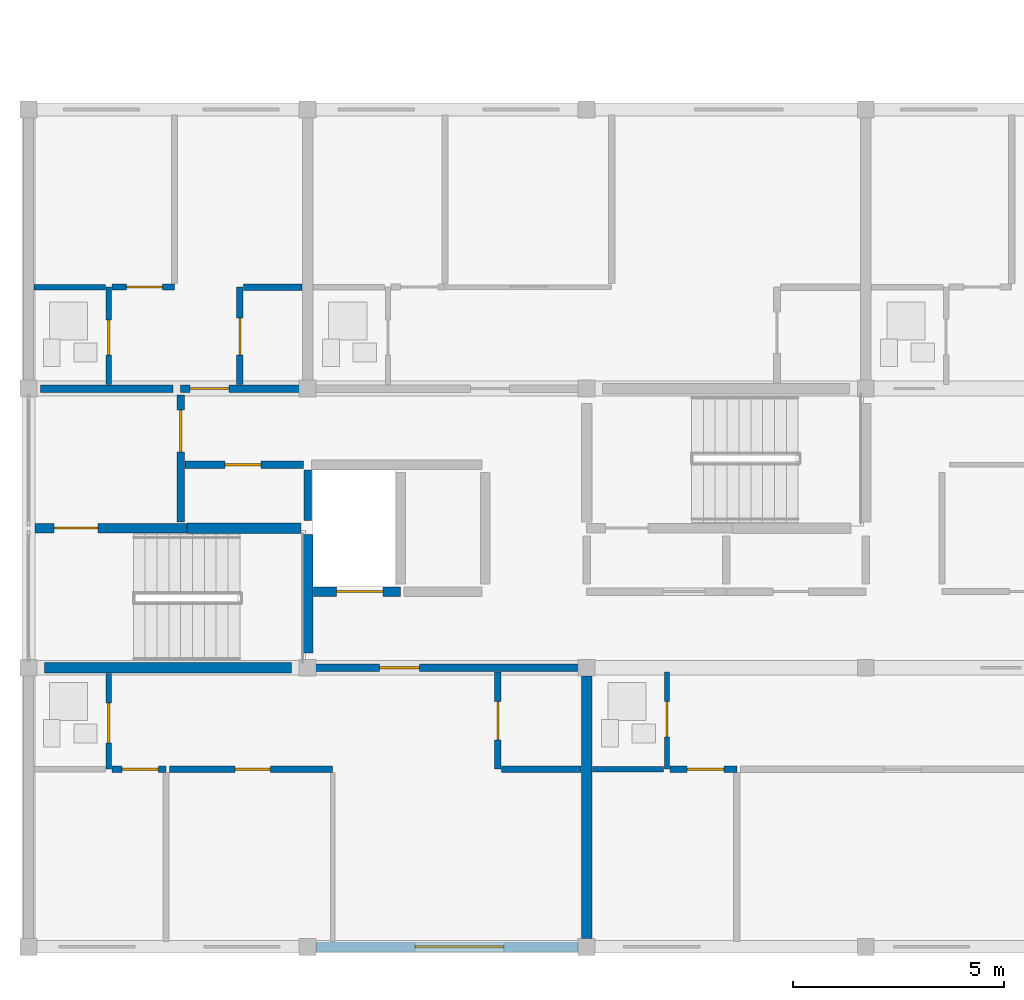
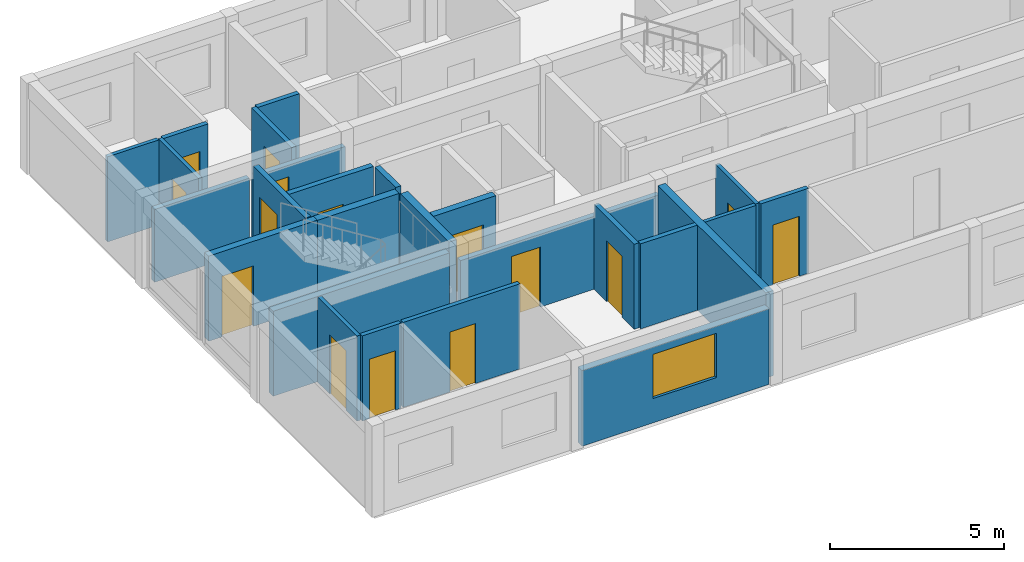
# One storey, part 13 of 23: 26 walls, 15 doors, 1 window, 16 openings.
"""IFC4 building model written with IfcOpenShell, lengths in metres."""

from ifc_helpers import new_model, si_unit, direction, frame, frame_2d, origin, place, context, subcontext, project, spatial, rectangle, extrude, material, layer, layer_set, type_object, element, fill, save


model = new_model("IFC4")

# Units and contexts
model_context = context("Model", 3, precision=1e-05, world=origin(), true_north=direction((0.0, 1.0)))
body_context = subcontext(model_context, "Body", "Model", "MODEL_VIEW")
ifc_project = project(units=[si_unit("LENGTHUNIT", "METRE"), si_unit("AREAUNIT", "SQUARE_METRE"), si_unit("VOLUMEUNIT", "CUBIC_METRE"), si_unit("PLANEANGLEUNIT", "RADIAN"), si_unit("MASSUNIT", "GRAM", prefix="KILO")], contexts=[model_context])

# Site, building, storey
site_placement = place(None, origin())
site = spatial("IfcSite", under=ifc_project, at=site_placement, CompositionType="ELEMENT")
building_placement = place(site_placement, origin())
building = spatial("IfcBuilding", under=site, at=building_placement, Name="Kernevlak Ridge Housing Community", CompositionType="ELEMENT")
storey_placement = place(building_placement, frame((0.0, 0.0, 46.800048828125)))
storey = spatial("IfcBuildingStorey", under=building, at=storey_placement, Name="L14", CompositionType="ELEMENT", Elevation=46.800048828125)

# Wall, opening, window
ifc_material_1 = material(Name="Concrete block masonry M10", Category="masonry")
ifc_layer_1 = layer(ifc_material_1, 0.239990234375, Name="Concrete block masonry M10")
ifc_layer_set_1 = layer_set([ifc_layer_1], Name="Concrete block masonry M10")
wall_type_1 = type_object("IfcWallType", Name="EW-06", PredefinedType="STANDARD", material=ifc_layer_set_1)
wall_1_placement = place(storey_placement, frame((22.39990234375, 76.0, 0.0), z_axis=(0.0, 0.0, 1.0), x_axis=(1.0, 0.0, 0.0)))
wall_1 = element("IfcWall", 1, at=wall_1_placement, inside=storey, type_object=wall_type_1, Name="Exterior wall EW-06 L14 222", PredefinedType="STANDARD", context=body_context, shape_type="SweptSolid", body=[
    extrude(rectangle(XDim=6.2001953125, YDim=0.239990234375, at=frame_2d((3.10009765625, 0.0))), origin(), (0.0, 0.0, 1.0), 2.64990234375),
])
opening_1_placement = place(wall_1_placement, frame((2.345947265625, 0.0, 0.85009765625)))
opening_1 = element("IfcOpeningElement", 2, at=opening_1_placement, cuts=wall_1, Name="Opening WT-05", PredefinedType="OPENING", context=body_context, shape_type="SweptSolid", body=[
    extrude(rectangle(XDim=2.10009765625, YDim=1.550048828125, at=frame_2d((1.050048828125, 0.77490234375))), frame((0.0, 0.1298828125, 0.0), z_axis=(0.0, -1.0, 0.0), x_axis=(1.0, 0.0, 0.0)), (0.0, 0.0, 1.0), 0.260009765625),
])
ifc_material_2 = material(Name="Aluminium EN AW-6060 anodised and laminated glass", Category="aluminium")
window_type = type_object("IfcWindowType", Name="WT-05", PartitioningType="SINGLE_PANEL", PredefinedType="WINDOW", material=ifc_material_2)
window_placement = place(opening_1_placement, origin())
window = element("IfcWindow", 3, at=window_placement, inside=storey, type_object=window_type, Name="Window WT-05 L14 176", OverallHeight=1.550048828125, OverallWidth=2.10009765625, PartitioningType="SINGLE_PANEL", PredefinedType="WINDOW", context=body_context, shape_type="SweptSolid", body=[
    extrude(rectangle(XDim=2.10009765625, YDim=1.550048828125, at=frame_2d((1.050048828125, 0.77490234375))), frame((0.0, 0.030029296875, 0.0), z_axis=(0.0, -1.0, 0.0), x_axis=(1.0, 0.0, 0.0)), (0.0, 0.0, 1.0), 0.06005859375),
])
fill(opening_1, window)

# Wall, opening, door
ifc_material_3 = material(Name="Concrete C35/45", Category="concrete")
ifc_layer_2 = layer(ifc_material_3, 0.22509765625, Name="Concrete C35/45")
ifc_layer_set_2 = layer_set([ifc_layer_2], Name="Concrete C35/45")
wall_type_2 = type_object("IfcWallType", Name="PW-01", PredefinedType="STANDARD", material=ifc_layer_set_2)
wall_2_placement = place(storey_placement, frame((15.75, 85.89990234375, 0.0), z_axis=(0.0, 0.0, 1.0), x_axis=(1.0, 0.0, 0.0)))
wall_2 = element("IfcWall", 4, at=wall_2_placement, inside=storey, type_object=wall_type_2, Name="Interior wall PW-01 WAL-INT-L14-0882", PredefinedType="STANDARD", context=body_context, shape_type="SweptSolid", body=[
    extrude(rectangle(XDim=3.60009765625, YDim=0.22509765625, at=frame_2d((1.800048828125, 0.0))), origin(), (0.0, 0.0, 1.0), 2.97998046875),
])
opening_2_placement = place(wall_2_placement, frame((0.449951171875, 0.0, 0.0)))
opening_2 = element("IfcOpeningElement", 5, at=opening_2_placement, cuts=wall_2, Name="Opening D447", PredefinedType="OPENING", context=body_context, shape_type="SweptSolid", body=[
    extrude(rectangle(XDim=1.0400390625, YDim=2.1201171875, at=frame_2d((0.52001953125, 1.06005859375))), frame((0.0, 0.12255859375, 0.0), z_axis=(0.0, -1.0, 0.0), x_axis=(1.0, 0.0, 0.0)), (0.0, 0.0, 1.0), 0.2451171875),
])
ifc_material_4 = material(Name="Fire-rated sheet steel leaf", Category="steel")
door_type_1 = type_object("IfcDoorType", Name="DT-16", OperationType="NOTDEFINED", PredefinedType="DOOR", material=ifc_material_4)
door_1_placement = place(opening_2_placement, origin())
door_1 = element("IfcDoor", 6, at=door_1_placement, inside=storey, type_object=door_type_1, Name="Block A Stair 1 fire door D447", OperationType="SINGLE_SWING_LEFT", OverallHeight=2.1201171875, OverallWidth=1.0400390625, PredefinedType="DOOR", context=body_context, shape_type="SweptSolid", body=[
    extrude(rectangle(XDim=1.0400390625, YDim=2.1201171875, at=frame_2d((0.52001953125, 1.06005859375))), frame((0.0, 0.02490234375, 0.0), z_axis=(0.0, -1.0, 0.0), x_axis=(1.0, 0.0, 0.0)), (0.0, 0.0, 1.0), 0.050048828125),
])
fill(opening_2, door_1)

wall_3_placement = place(storey_placement, frame((22.3349609375, 84.39990234375, 0.0), z_axis=(0.0, 0.0, 1.0), x_axis=(1.0, 0.0, 0.0)))
wall_3 = element("IfcWall", 7, at=wall_3_placement, inside=storey, type_object=wall_type_2, Name="Interior wall PW-01 WAL-INT-L14-0886", PredefinedType="STANDARD", context=body_context, shape_type="SweptSolid", body=[
    extrude(rectangle(XDim=2.06494140625, YDim=0.22509765625, at=frame_2d((1.032470703125, 0.0))), origin(), (0.0, 0.0, 1.0), 2.97998046875),
])
opening_3_placement = place(wall_3_placement, frame((0.550048828125, 0.0, 0.0)))
opening_3 = element("IfcOpeningElement", 8, at=opening_3_placement, cuts=wall_3, Name="Opening LD25", PredefinedType="OPENING", context=body_context, shape_type="SweptSolid", body=[
    extrude(rectangle(XDim=1.10009765625, YDim=2.10009765625, at=frame_2d((0.550048828125, 1.050048828125))), frame((0.0, 0.12255859375, 0.0), z_axis=(0.0, -1.0, 0.0), x_axis=(1.0, 0.0, 0.0)), (0.0, 0.0, 1.0), 0.2451171875),
])
ifc_material_5 = material(Name="Stainless steel EN 1.4401", Category="steel")
door_type_2 = type_object("IfcDoorType", Name="DT-LD1", OperationType="DOUBLE_DOOR_SLIDING", PredefinedType="DOOR", material=ifc_material_5)
door_2_placement = place(opening_3_placement, origin())
door_2 = element("IfcDoor", 9, at=door_2_placement, inside=storey, type_object=door_type_2, Name="Lift LF-A1 landing door LD25", OperationType="DOUBLE_DOOR_SLIDING", OverallHeight=2.10009765625, OverallWidth=1.10009765625, PredefinedType="DOOR", context=body_context, shape_type="SweptSolid", body=[
    extrude(rectangle(XDim=1.10009765625, YDim=2.10009765625, at=frame_2d((0.550048828125, 1.050048828125))), frame((0.0, 0.02490234375, 0.0), z_axis=(0.0, -1.0, 0.0), x_axis=(1.0, 0.0, 0.0)), (0.0, 0.0, 1.0), 0.050048828125),
])
fill(opening_3, door_2)

ifc_layer_3 = layer(ifc_material_1, 0.175048828125, Name="Concrete block masonry M10")
ifc_layer_set_3 = layer_set([ifc_layer_3], Name="Concrete block masonry M10")
wall_type_3 = type_object("IfcWallType", Name="PW-02", PredefinedType="PARTITIONING", material=ifc_layer_set_3)
wall_4_placement = place(storey_placement, frame((19.199951171875, 86.050048828125, 0.0), z_axis=(0.0, 0.0, 1.0), x_axis=(0.0, 1.0, 0.0)))
wall_4 = element("IfcWall", 10, at=wall_4_placement, inside=storey, type_object=wall_type_3, Name="Interior wall PW-02 WAL-INT-L14-0883", PredefinedType="PARTITIONING", context=body_context, shape_type="SweptSolid", body=[
    extrude(rectangle(XDim=3.0, YDim=0.175048828125, at=frame_2d((1.5, 0.0))), origin(), (0.0, 0.0, 1.0), 2.97998046875),
])
opening_4_placement = place(wall_4_placement, frame((1.64990234375, 0.0, 0.0)))
opening_4 = element("IfcOpeningElement", 11, at=opening_4_placement, cuts=wall_4, Name="Opening D448", PredefinedType="OPENING", context=body_context, shape_type="SweptSolid", body=[
    extrude(rectangle(XDim=1.0, YDim=2.10009765625, at=frame_2d((0.5, 1.050048828125))), frame((0.0, 0.097412109375, 0.0), z_axis=(0.0, -1.0, 0.0), x_axis=(1.0, 0.0, 0.0)), (0.0, 0.0, 1.0), 0.195068359375),
])
door_type_3 = type_object("IfcDoorType", Name="DT-05", OperationType="NOTDEFINED", PredefinedType="DOOR", material=ifc_material_4)
door_3_placement = place(opening_4_placement, origin())
door_3 = element("IfcDoor", 12, at=door_3_placement, inside=storey, type_object=door_type_3, Name="Block A Firefighting lobby 1 door D448", OperationType="SINGLE_SWING_RIGHT", OverallHeight=2.10009765625, OverallWidth=1.0, PredefinedType="DOOR", context=body_context, shape_type="SweptSolid", body=[
    extrude(rectangle(XDim=1.0, YDim=2.10009765625, at=frame_2d((0.5, 1.050048828125))), frame((0.0, 0.02490234375, 0.0), z_axis=(0.0, -1.0, 0.0), x_axis=(1.0, 0.0, 0.0)), (0.0, 0.0, 1.0), 0.050048828125),
])
fill(opening_4, door_3)

wall_5_placement = place(storey_placement, frame((19.300048828125, 87.39990234375, 0.0), z_axis=(0.0, 0.0, 1.0), x_axis=(1.0, 0.0, 0.0)))
wall_5 = element("IfcWall", 13, at=wall_5_placement, inside=storey, type_object=wall_type_3, Name="Interior wall PW-02 WAL-INT-L14-0884", PredefinedType="PARTITIONING", context=body_context, shape_type="SweptSolid", body=[
    extrude(rectangle(XDim=2.800048828125, YDim=0.175048828125, at=frame_2d((1.39990234375, 0.0))), origin(), (0.0, 0.0, 1.0), 2.97998046875),
])
opening_5_placement = place(wall_5_placement, frame((0.949951171875, 0.0, 0.0)))
opening_5 = element("IfcOpeningElement", 14, at=opening_5_placement, cuts=wall_5, Name="Opening D449", PredefinedType="OPENING", context=body_context, shape_type="SweptSolid", body=[
    extrude(rectangle(XDim=0.85009765625, YDim=2.0, at=frame_2d((0.425048828125, 1.0))), frame((0.0, 0.097412109375, 0.0), z_axis=(0.0, -1.0, 0.0), x_axis=(1.0, 0.0, 0.0)), (0.0, 0.0, 1.0), 0.195068359375),
])
door_type_4 = type_object("IfcDoorType", Name="DT-07", OperationType="NOTDEFINED", PredefinedType="DOOR", material=ifc_material_4)
door_4_placement = place(opening_5_placement, origin())
door_4 = element("IfcDoor", 15, at=door_4_placement, inside=storey, type_object=door_type_4, Name="Block A Riser shaft door D449", OperationType="SINGLE_SWING_LEFT", OverallHeight=2.0, OverallWidth=0.85009765625, PredefinedType="DOOR", context=body_context, shape_type="SweptSolid", body=[
    extrude(rectangle(XDim=0.85009765625, YDim=2.0, at=frame_2d((0.425048828125, 1.0))), frame((0.0, 0.02490234375, 0.0), z_axis=(0.0, -1.0, 0.0), x_axis=(1.0, 0.0, 0.0)), (0.0, 0.0, 1.0), 0.050048828125),
])
fill(opening_5, door_4)

# Wall
wall_6_placement = place(storey_placement, frame((22.199951171875, 86.080078125, 0.0), z_axis=(0.0, 0.0, 1.0), x_axis=(0.0, 1.0, 0.0)))
element("IfcWall", 16, at=wall_6_placement, inside=storey, type_object=wall_type_3, Name="Interior wall PW-02 WAL-INT-L14-0885", PredefinedType="PARTITIONING", context=body_context, shape_type="SweptSolid", body=[
    extrude(rectangle(XDim=1.18994140625, YDim=0.175048828125, at=frame_2d((0.594970703125, 0.0))), origin(), (0.0, 0.0, 1.0), 2.97998046875),
])

# Wall, opening, door
wall_7_placement = place(storey_placement, frame((22.199951171875, 82.60009765625, 0.0), z_axis=(0.0, 0.0, 1.0), x_axis=(1.0, 0.0, 0.0)))
wall_7 = element("IfcWall", 17, at=wall_7_placement, inside=storey, type_object=wall_type_3, Name="Interior wall PW-02 WAL-INT-L14-0903", PredefinedType="PARTITIONING", context=body_context, shape_type="SweptSolid", body=[
    extrude(rectangle(XDim=6.60009765625, YDim=0.175048828125, at=frame_2d((3.300048828125, 0.0))), origin(), (0.0, 0.0, 1.0), 2.550048828125),
])
opening_6_placement = place(wall_7_placement, frame((1.699951171875, 0.0, 0.0)))
opening_6 = element("IfcOpeningElement", 18, at=opening_6_placement, cuts=wall_7, Name="Opening D455", PredefinedType="OPENING", context=body_context, shape_type="SweptSolid", body=[
    extrude(rectangle(XDim=0.949951171875, YDim=2.10009765625, at=frame_2d((0.47509765625, 1.050048828125))), frame((0.0, 0.097412109375, 0.0), z_axis=(0.0, -1.0, 0.0), x_axis=(1.0, 0.0, 0.0)), (0.0, 0.0, 1.0), 0.195068359375),
])
ifc_material_6 = material(Name="Hardwood timber solid-core fire leaf", Category="wood")
door_type_5 = type_object("IfcDoorType", Name="DT-01", OperationType="NOTDEFINED", PredefinedType="DOOR", material=ifc_material_6)
door_5_placement = place(opening_6_placement, origin())
door_5 = element("IfcDoor", 19, at=door_5_placement, inside=storey, type_object=door_type_5, Name="Flat A1411 entrance fire door D455", OperationType="SINGLE_SWING_LEFT", OverallHeight=2.10009765625, OverallWidth=0.949951171875, PredefinedType="DOOR", context=body_context, shape_type="SweptSolid", body=[
    extrude(rectangle(XDim=0.949951171875, YDim=2.10009765625, at=frame_2d((0.47509765625, 1.050048828125))), frame((0.0, 0.02490234375, 0.0), z_axis=(0.0, -1.0, 0.0), x_axis=(1.0, 0.0, 0.0)), (0.0, 0.0, 1.0), 0.050048828125),
])
fill(opening_6, door_5)

# Wall
wall_8_placement = place(storey_placement, frame((15.8798828125, 89.199951171875, 0.0), z_axis=(0.0, 0.0, 1.0), x_axis=(1.0, 0.0, 0.0)))
element("IfcWall", 20, at=wall_8_placement, inside=storey, type_object=wall_type_3, Name="Interior wall PW-02 WAL-INT-L14-0921", PredefinedType="PARTITIONING", context=body_context, shape_type="SweptSolid", body=[
    extrude(rectangle(XDim=3.14013671875, YDim=0.175048828125, at=frame_2d((1.570068359375, 0.0))), origin(), (0.0, 0.0, 1.0), 2.550048828125),
])

# Wall, opening, door
wall_9_placement = place(storey_placement, frame((19.199951171875, 89.199951171875, 0.0), z_axis=(0.0, 0.0, 1.0), x_axis=(1.0, 0.0, 0.0)))
wall_9 = element("IfcWall", 21, at=wall_9_placement, inside=storey, type_object=wall_type_3, Name="Interior wall PW-02 WAL-INT-L14-0922", PredefinedType="PARTITIONING", context=body_context, shape_type="SweptSolid", body=[
    extrude(rectangle(XDim=3.0, YDim=0.175048828125, at=frame_2d((1.5, 0.0))), origin(), (0.0, 0.0, 1.0), 2.550048828125),
])
opening_7_placement = place(wall_9_placement, frame((0.219970703125, 0.0, 0.0)))
opening_7 = element("IfcOpeningElement", 22, at=opening_7_placement, cuts=wall_9, Name="Opening D465", PredefinedType="OPENING", context=body_context, shape_type="SweptSolid", body=[
    extrude(rectangle(XDim=0.919921875, YDim=2.139892578125, at=frame_2d((0.4599609375, 1.06982421875))), frame((0.0, 0.097412109375, 0.0), z_axis=(0.0, -1.0, 0.0), x_axis=(1.0, 0.0, 0.0)), (0.0, 0.0, 1.0), 0.195068359375),
])
door_type_6 = type_object("IfcDoorType", Name="DT-20", OperationType="NOTDEFINED", PredefinedType="DOOR", material=ifc_material_6)
door_6_placement = place(opening_7_placement, origin())
door_6 = element("IfcDoor", 23, at=door_6_placement, inside=storey, type_object=door_type_6, Name="Flat A1421 entrance fire door D465", OperationType="SINGLE_SWING_LEFT", OverallHeight=2.139892578125, OverallWidth=0.919921875, PredefinedType="DOOR", context=body_context, shape_type="SweptSolid", body=[
    extrude(rectangle(XDim=0.919921875, YDim=2.139892578125, at=frame_2d((0.4599609375, 1.06982421875))), frame((0.0, 0.02490234375, 0.0), z_axis=(0.0, -1.0, 0.0), x_axis=(1.0, 0.0, 0.0)), (0.0, 0.0, 1.0), 0.050048828125),
])
fill(opening_7, door_6)

ifc_layer_4 = layer(ifc_material_1, 0.14501953125, Name="Concrete block masonry M10")
ifc_layer_set_4 = layer_set([ifc_layer_4], Name="Concrete block masonry M10")
wall_type_4 = type_object("IfcWallType", Name="PW-03", PredefinedType="PARTITIONING", material=ifc_layer_set_4)
wall_10_placement = place(storey_placement, frame((17.572509765625, 80.199951171875, 0.0), z_axis=(0.0, 0.0, 1.0), x_axis=(1.0, 0.0, 0.0)))
wall_10 = element("IfcWall", 24, at=wall_10_placement, inside=storey, type_object=wall_type_4, Name="Interior wall PW-03 WAL-INT-L14-0908", PredefinedType="PARTITIONING", context=body_context, shape_type="SweptSolid", body=[
    extrude(rectangle(XDim=1.277587890625, YDim=0.14501953125, at=frame_2d((0.638671875, 0.0))), origin(), (0.0, 0.0, 1.0), 2.97998046875),
])
opening_8_placement = place(wall_10_placement, frame((0.237548828125, 0.0, 0.0)))
opening_8 = element("IfcOpeningElement", 25, at=opening_8_placement, cuts=wall_10, Name="Opening D458", PredefinedType="OPENING", context=body_context, shape_type="SweptSolid", body=[
    extrude(rectangle(XDim=0.8701171875, YDim=2.080078125, at=frame_2d((0.43505859375, 1.0400390625))), frame((0.0, 0.08251953125, 0.0), z_axis=(0.0, -1.0, 0.0), x_axis=(1.0, 0.0, 0.0)), (0.0, 0.0, 1.0), 0.1650390625),
])
ifc_material_7 = material(Name="Hardwood timber leaf", Category="wood")
door_type_7 = type_object("IfcDoorType", Name="DT-32", OperationType="NOTDEFINED", PredefinedType="DOOR", material=ifc_material_7)
door_7_placement = place(opening_8_placement, origin())
door_7 = element("IfcDoor", 26, at=door_7_placement, inside=storey, type_object=door_type_7, Name="Flat A1411 bedroom door D458", OperationType="SINGLE_SWING_RIGHT", OverallHeight=2.080078125, OverallWidth=0.8701171875, PredefinedType="DOOR", context=body_context, shape_type="SweptSolid", body=[
    extrude(rectangle(XDim=0.8701171875, YDim=2.080078125, at=frame_2d((0.43505859375, 1.0400390625))), frame((0.0, 0.02490234375, 0.0), z_axis=(0.0, -1.0, 0.0), x_axis=(1.0, 0.0, 0.0)), (0.0, 0.0, 1.0), 0.050048828125),
])
fill(opening_8, door_7)

wall_11_placement = place(storey_placement, frame((18.9326171875, 80.199951171875, 0.0), z_axis=(0.0, 0.0, 1.0), x_axis=(1.0, 0.0, 0.0)))
wall_11 = element("IfcWall", 27, at=wall_11_placement, inside=storey, type_object=wall_type_4, Name="Interior wall PW-03 WAL-INT-L14-0910", PredefinedType="PARTITIONING", context=body_context, shape_type="SweptSolid", body=[
    extrude(rectangle(XDim=3.859375, YDim=0.14501953125, at=frame_2d((1.9296875, 0.0))), origin(), (0.0, 0.0, 1.0), 2.97998046875),
])
opening_9_placement = place(wall_11_placement, frame((1.5458984375, 0.0, 0.0)))
opening_9 = element("IfcOpeningElement", 28, at=opening_9_placement, cuts=wall_11, Name="Opening D459", PredefinedType="OPENING", context=body_context, shape_type="SweptSolid", body=[
    extrude(rectangle(XDim=0.85009765625, YDim=2.10009765625, at=frame_2d((0.425048828125, 1.050048828125))), frame((0.0, 0.08251953125, 0.0), z_axis=(0.0, -1.0, 0.0), x_axis=(1.0, 0.0, 0.0)), (0.0, 0.0, 1.0), 0.1650390625),
])
door_type_8 = type_object("IfcDoorType", Name="DT-03", OperationType="NOTDEFINED", PredefinedType="DOOR", material=ifc_material_7)
door_8_placement = place(opening_9_placement, origin())
door_8 = element("IfcDoor", 29, at=door_8_placement, inside=storey, type_object=door_type_8, Name="Flat A1411 bedroom door D459", OperationType="SINGLE_SWING_LEFT", OverallHeight=2.10009765625, OverallWidth=0.85009765625, PredefinedType="DOOR", context=body_context, shape_type="SweptSolid", body=[
    extrude(rectangle(XDim=0.85009765625, YDim=2.10009765625, at=frame_2d((0.425048828125, 1.050048828125))), frame((0.0, 0.02490234375, 0.0), z_axis=(0.0, -1.0, 0.0), x_axis=(1.0, 0.0, 0.0)), (0.0, 0.0, 1.0), 0.050048828125),
])
fill(opening_9, door_8)

wall_12_placement = place(storey_placement, frame((30.7724609375, 80.199951171875, 0.0), z_axis=(0.0, 0.0, 1.0), x_axis=(1.0, 0.0, 0.0)))
wall_12 = element("IfcWall", 30, at=wall_12_placement, inside=storey, type_object=wall_type_4, Name="Interior wall PW-03 WAL-INT-L14-0917", PredefinedType="PARTITIONING", context=body_context, shape_type="SweptSolid", body=[
    extrude(rectangle(XDim=1.57763671875, YDim=0.14501953125, at=frame_2d((0.788818359375, 0.0))), origin(), (0.0, 0.0, 1.0), 2.97998046875),
])
opening_10_placement = place(wall_12_placement, frame((0.39990234375, 0.0, 0.0)))
opening_10 = element("IfcOpeningElement", 31, at=opening_10_placement, cuts=wall_12, Name="Opening D463", PredefinedType="OPENING", context=body_context, shape_type="SweptSolid", body=[
    extrude(rectangle(XDim=0.8798828125, YDim=2.10009765625, at=frame_2d((0.43994140625, 1.050048828125))), frame((0.0, 0.08251953125, 0.0), z_axis=(0.0, -1.0, 0.0), x_axis=(1.0, 0.0, 0.0)), (0.0, 0.0, 1.0), 0.1650390625),
])
door_type_9 = type_object("IfcDoorType", Name="DT-25", OperationType="NOTDEFINED", PredefinedType="DOOR", material=ifc_material_7)
door_9_placement = place(opening_10_placement, origin())
door_9 = element("IfcDoor", 32, at=door_9_placement, inside=storey, type_object=door_type_9, Name="Flat A1412 bedroom door D463", OperationType="SINGLE_SWING_LEFT", OverallHeight=2.10009765625, OverallWidth=0.8798828125, PredefinedType="DOOR", context=body_context, shape_type="SweptSolid", body=[
    extrude(rectangle(XDim=0.8798828125, YDim=2.10009765625, at=frame_2d((0.43994140625, 1.050048828125))), frame((0.0, 0.02490234375, 0.0), z_axis=(0.0, -1.0, 0.0), x_axis=(1.0, 0.0, 0.0)), (0.0, 0.0, 1.0), 0.050048828125),
])
fill(opening_10, door_9)

wall_13_placement = place(storey_placement, frame((17.572509765625, 91.60009765625, 0.0), z_axis=(0.0, 0.0, 1.0), x_axis=(1.0, 0.0, 0.0)))
wall_13 = element("IfcWall", 33, at=wall_13_placement, inside=storey, type_object=wall_type_4, Name="Interior wall PW-03 WAL-INT-L14-0927", PredefinedType="PARTITIONING", context=body_context, shape_type="SweptSolid", body=[
    extrude(rectangle(XDim=1.4775390625, YDim=0.14501953125, at=frame_2d((0.73876953125, 0.0))), origin(), (0.0, 0.0, 1.0), 2.97998046875),
])
opening_11_placement = place(wall_13_placement, frame((0.35009765625, 0.0, 0.0)))
opening_11 = element("IfcOpeningElement", 34, at=opening_11_placement, cuts=wall_13, Name="Opening D468", PredefinedType="OPENING", context=body_context, shape_type="SweptSolid", body=[
    extrude(rectangle(XDim=0.85009765625, YDim=2.10009765625, at=frame_2d((0.425048828125, 1.050048828125))), frame((0.0, 0.08251953125, 0.0), z_axis=(0.0, -1.0, 0.0), x_axis=(1.0, 0.0, 0.0)), (0.0, 0.0, 1.0), 0.1650390625),
])
door_10_placement = place(opening_11_placement, origin())
door_10 = element("IfcDoor", 35, at=door_10_placement, inside=storey, type_object=door_type_8, Name="Flat A1421 bedroom door D468", OperationType="SINGLE_SWING_RIGHT", OverallHeight=2.10009765625, OverallWidth=0.85009765625, PredefinedType="DOOR", context=body_context, shape_type="SweptSolid", body=[
    extrude(rectangle(XDim=0.85009765625, YDim=2.10009765625, at=frame_2d((0.425048828125, 1.050048828125))), frame((0.0, 0.02490234375, 0.0), z_axis=(0.0, -1.0, 0.0), x_axis=(1.0, 0.0, 0.0)), (0.0, 0.0, 1.0), 0.050048828125),
])
fill(opening_11, door_10)

ifc_material_8 = material(Name="Gypsum plasterboard EN 520", Category="gypsum")
ifc_layer_5 = layer(ifc_material_8, 0.125, Name="Gypsum plasterboard EN 520")
ifc_layer_set_5 = layer_set([ifc_layer_5], Name="Gypsum plasterboard EN 520")
wall_type_5 = type_object("IfcWallType", Name="PW-04", PredefinedType="PARTITIONING", material=ifc_layer_set_5)
wall_14_placement = place(storey_placement, frame((17.5, 82.465087890625, 0.0), z_axis=(0.0, 0.0, 1.0), x_axis=(0.0, -1.0, 0.0)))
wall_14 = element("IfcWall", 36, at=wall_14_placement, inside=storey, type_object=wall_type_5, Name="Interior wall PW-04 WAL-INT-L14-0904", PredefinedType="PARTITIONING", context=body_context, shape_type="SweptSolid", body=[
    extrude(rectangle(XDim=2.26513671875, YDim=0.125, at=frame_2d((1.132568359375, 0.0))), origin(), (0.0, 0.0, 1.0), 2.97998046875),
])
opening_12_placement = place(wall_14_placement, frame((0.699951171875, 0.0, 0.0)))
opening_12 = element("IfcOpeningElement", 37, at=opening_12_placement, cuts=wall_14, Name="Opening D456", PredefinedType="OPENING", context=body_context, shape_type="SweptSolid", body=[
    extrude(rectangle(XDim=0.93994140625, YDim=2.080078125, at=frame_2d((0.469970703125, 1.0400390625))), frame((0.0, 0.072509765625, 0.0), z_axis=(0.0, -1.0, 0.0), x_axis=(1.0, 0.0, 0.0)), (0.0, 0.0, 1.0), 0.14501953125),
])
ifc_material_9 = material(Name="Hardwood timber moisture-resistant leaf", Category="wood")
door_type_10 = type_object("IfcDoorType", Name="DT-23", OperationType="NOTDEFINED", PredefinedType="DOOR", material=ifc_material_9)
door_11_placement = place(opening_12_placement, origin())
door_11 = element("IfcDoor", 38, at=door_11_placement, inside=storey, type_object=door_type_10, Name="Flat A1411 bathroom door D456", OperationType="SINGLE_SWING_RIGHT", OverallHeight=2.080078125, OverallWidth=0.93994140625, PredefinedType="DOOR", context=body_context, shape_type="SweptSolid", body=[
    extrude(rectangle(XDim=0.93994140625, YDim=2.080078125, at=frame_2d((0.469970703125, 1.0400390625))), frame((0.0, 0.02490234375, 0.0), z_axis=(0.0, -1.0, 0.0), x_axis=(1.0, 0.0, 0.0)), (0.0, 0.0, 1.0), 0.050048828125),
])
fill(opening_12, door_11)

wall_15_placement = place(storey_placement, frame((30.699951171875, 82.50244140625, 0.0), z_axis=(0.0, 0.0, 1.0), x_axis=(0.0, -1.0, 0.0)))
wall_15 = element("IfcWall", 39, at=wall_15_placement, inside=storey, type_object=wall_type_5, Name="Interior wall PW-04 WAL-INT-L14-0913", PredefinedType="PARTITIONING", context=body_context, shape_type="SweptSolid", body=[
    extrude(rectangle(XDim=2.302490234375, YDim=0.125, at=frame_2d((1.1513671875, 0.0))), origin(), (0.0, 0.0, 1.0), 2.97998046875),
])
opening_13_placement = place(wall_15_placement, frame((0.699951171875, 0.0, 0.0)))
opening_13 = element("IfcOpeningElement", 40, at=opening_13_placement, cuts=wall_15, Name="Opening D461", PredefinedType="OPENING", context=body_context, shape_type="SweptSolid", body=[
    extrude(rectangle(XDim=0.840087890625, YDim=2.06005859375, at=frame_2d((0.419921875, 1.030029296875))), frame((0.0, 0.072509765625, 0.0), z_axis=(0.0, -1.0, 0.0), x_axis=(1.0, 0.0, 0.0)), (0.0, 0.0, 1.0), 0.14501953125),
])
door_type_11 = type_object("IfcDoorType", Name="DT-27", OperationType="NOTDEFINED", PredefinedType="DOOR", material=ifc_material_9)
door_12_placement = place(opening_13_placement, origin())
door_12 = element("IfcDoor", 41, at=door_12_placement, inside=storey, type_object=door_type_11, Name="Flat A1412 bathroom door D461", OperationType="SINGLE_SWING_LEFT", OverallHeight=2.06005859375, OverallWidth=0.840087890625, PredefinedType="DOOR", context=body_context, shape_type="SweptSolid", body=[
    extrude(rectangle(XDim=0.840087890625, YDim=2.06005859375, at=frame_2d((0.419921875, 1.030029296875))), frame((0.0, 0.02490234375, 0.0), z_axis=(0.0, -1.0, 0.0), x_axis=(1.0, 0.0, 0.0)), (0.0, 0.0, 1.0), 0.050048828125),
])
fill(opening_13, door_12)

# Wall
wall_16_placement = place(storey_placement, frame((28.93505859375, 80.199951171875, 0.0), z_axis=(0.0, 0.0, 1.0), x_axis=(1.0, 0.0, 0.0)))
element("IfcWall", 42, at=wall_16_placement, inside=storey, type_object=wall_type_5, Name="Interior wall PW-04 WAL-INT-L14-0914", PredefinedType="PARTITIONING", context=body_context, shape_type="SweptSolid", body=[
    extrude(rectangle(XDim=1.68505859375, YDim=0.125, at=frame_2d((0.842529296875, 0.0))), origin(), (0.0, 0.0, 1.0), 2.97998046875),
])

# Wall, opening, door
wall_17_placement = place(storey_placement, frame((17.5, 89.297607421875, 0.0), z_axis=(0.0, 0.0, 1.0), x_axis=(0.0, 1.0, 0.0)))
wall_17 = element("IfcWall", 43, at=wall_17_placement, inside=storey, type_object=wall_type_5, Name="Interior wall PW-04 WAL-INT-L14-0923", PredefinedType="PARTITIONING", context=body_context, shape_type="SweptSolid", body=[
    extrude(rectangle(XDim=2.302490234375, YDim=0.125, at=frame_2d((1.1513671875, 0.0))), origin(), (0.0, 0.0, 1.0), 2.97998046875),
])
opening_14_placement = place(wall_17_placement, frame((0.699951171875, 0.0, 0.0)))
opening_14 = element("IfcOpeningElement", 44, at=opening_14_placement, cuts=wall_17, Name="Opening D466", PredefinedType="OPENING", context=body_context, shape_type="SweptSolid", body=[
    extrude(rectangle(XDim=0.820068359375, YDim=2.050048828125, at=frame_2d((0.41015625, 1.02490234375))), frame((0.0, 0.072509765625, 0.0), z_axis=(0.0, -1.0, 0.0), x_axis=(1.0, 0.0, 0.0)), (0.0, 0.0, 1.0), 0.14501953125),
])
door_type_12 = type_object("IfcDoorType", Name="DT-30", OperationType="NOTDEFINED", PredefinedType="DOOR", material=ifc_material_9)
door_13_placement = place(opening_14_placement, origin())
door_13 = element("IfcDoor", 45, at=door_13_placement, inside=storey, type_object=door_type_12, Name="Flat A1421 bathroom door D466", OperationType="SINGLE_SWING_RIGHT", OverallHeight=2.050048828125, OverallWidth=0.820068359375, PredefinedType="DOOR", context=body_context, shape_type="SweptSolid", body=[
    extrude(rectangle(XDim=0.820068359375, YDim=2.050048828125, at=frame_2d((0.41015625, 1.02490234375))), frame((0.0, 0.02490234375, 0.0), z_axis=(0.0, -1.0, 0.0), x_axis=(1.0, 0.0, 0.0)), (0.0, 0.0, 1.0), 0.050048828125),
])
fill(opening_14, door_13)

# Wall
wall_18_placement = place(storey_placement, frame((15.72998046875, 91.60009765625, 0.0), z_axis=(0.0, 0.0, 1.0), x_axis=(1.0, 0.0, 0.0)))
element("IfcWall", 46, at=wall_18_placement, inside=storey, type_object=wall_type_5, Name="Interior wall PW-04 WAL-INT-L14-0924", PredefinedType="PARTITIONING", context=body_context, shape_type="SweptSolid", body=[
    extrude(rectangle(XDim=1.68994140625, YDim=0.125, at=frame_2d((0.844970703125, 0.0))), origin(), (0.0, 0.0, 1.0), 2.97998046875),
])

# Wall, opening, door
ifc_layer_6 = layer(ifc_material_8, 0.155029296875, Name="Gypsum plasterboard EN 520")
ifc_layer_set_6 = layer_set([ifc_layer_6], Name="Gypsum plasterboard EN 520")
wall_type_6 = type_object("IfcWallType", Name="PW-05", PredefinedType="PARTITIONING", material=ifc_layer_set_6)
wall_19_placement = place(storey_placement, frame((26.699951171875, 82.50244140625, 0.0), z_axis=(0.0, 0.0, 1.0), x_axis=(0.0, -1.0, 0.0)))
wall_19 = element("IfcWall", 47, at=wall_19_placement, inside=storey, type_object=wall_type_6, Name="Interior wall PW-05 WAL-INT-L14-0906", PredefinedType="PARTITIONING", context=body_context, shape_type="SweptSolid", body=[
    extrude(rectangle(XDim=2.302490234375, YDim=0.155029296875, at=frame_2d((1.1513671875, 0.0))), origin(), (0.0, 0.0, 1.0), 2.97998046875),
])
opening_15_placement = place(wall_19_placement, frame((0.699951171875, 0.0, 0.0)))
opening_15 = element("IfcOpeningElement", 48, at=opening_15_placement, cuts=wall_19, Name="Opening D457", PredefinedType="OPENING", context=body_context, shape_type="SweptSolid", body=[
    extrude(rectangle(XDim=0.909912109375, YDim=2.139892578125, at=frame_2d((0.455078125, 1.06982421875))), frame((0.0, 0.08740234375, 0.0), z_axis=(0.0, -1.0, 0.0), x_axis=(1.0, 0.0, 0.0)), (0.0, 0.0, 1.0), 0.175048828125),
])
door_type_13 = type_object("IfcDoorType", Name="DT-31", OperationType="NOTDEFINED", PredefinedType="DOOR", material=ifc_material_7)
door_14_placement = place(opening_15_placement, origin())
door_14 = element("IfcDoor", 49, at=door_14_placement, inside=storey, type_object=door_type_13, Name="Flat A1411 kitchen door D457", OperationType="SINGLE_SWING_LEFT", OverallHeight=2.139892578125, OverallWidth=0.909912109375, PredefinedType="DOOR", context=body_context, shape_type="SweptSolid", body=[
    extrude(rectangle(XDim=0.909912109375, YDim=2.139892578125, at=frame_2d((0.455078125, 1.06982421875))), frame((0.0, 0.02490234375, 0.0), z_axis=(0.0, -1.0, 0.0), x_axis=(1.0, 0.0, 0.0)), (0.0, 0.0, 1.0), 0.050048828125),
])
fill(opening_15, door_14)

# Wall
wall_20_placement = place(storey_placement, frame((26.78759765625, 80.199951171875, 0.0), z_axis=(0.0, 0.0, 1.0), x_axis=(1.0, 0.0, 0.0)))
element("IfcWall", 50, at=wall_20_placement, inside=storey, type_object=wall_type_6, Name="Interior wall PW-05 WAL-INT-L14-0907", PredefinedType="PARTITIONING", context=body_context, shape_type="SweptSolid", body=[
    extrude(rectangle(XDim=1.87744140625, YDim=0.155029296875, at=frame_2d((0.938720703125, 0.0))), origin(), (0.0, 0.0, 1.0), 2.97998046875),
])

# Wall, opening, door
wall_21_placement = place(storey_placement, frame((20.60009765625, 89.297607421875, 0.0), z_axis=(0.0, 0.0, 1.0), x_axis=(0.0, 1.0, 0.0)))
wall_21 = element("IfcWall", 51, at=wall_21_placement, inside=storey, type_object=wall_type_6, Name="Interior wall PW-05 WAL-INT-L14-0925", PredefinedType="PARTITIONING", context=body_context, shape_type="SweptSolid", body=[
    extrude(rectangle(XDim=2.302490234375, YDim=0.155029296875, at=frame_2d((1.1513671875, 0.0))), origin(), (0.0, 0.0, 1.0), 2.97998046875),
])
opening_16_placement = place(wall_21_placement, frame((0.699951171875, 0.0, 0.0)))
opening_16 = element("IfcOpeningElement", 52, at=opening_16_placement, cuts=wall_21, Name="Opening D467", PredefinedType="OPENING", context=body_context, shape_type="SweptSolid", body=[
    extrude(rectangle(XDim=0.8701171875, YDim=2.080078125, at=frame_2d((0.43505859375, 1.0400390625))), frame((0.0, 0.08740234375, 0.0), z_axis=(0.0, -1.0, 0.0), x_axis=(1.0, 0.0, 0.0)), (0.0, 0.0, 1.0), 0.175048828125),
])
door_15_placement = place(opening_16_placement, origin())
door_15 = element("IfcDoor", 53, at=door_15_placement, inside=storey, type_object=door_type_7, Name="Flat A1421 kitchen door D467", OperationType="SINGLE_SWING_LEFT", OverallHeight=2.080078125, OverallWidth=0.8701171875, PredefinedType="DOOR", context=body_context, shape_type="SweptSolid", body=[
    extrude(rectangle(XDim=0.8701171875, YDim=2.080078125, at=frame_2d((0.43505859375, 1.0400390625))), frame((0.0, 0.02490234375, 0.0), z_axis=(0.0, -1.0, 0.0), x_axis=(1.0, 0.0, 0.0)), (0.0, 0.0, 1.0), 0.050048828125),
])
fill(opening_16, door_15)

# Walls
wall_22_placement = place(storey_placement, frame((20.6875, 91.60009765625, 0.0), z_axis=(0.0, 0.0, 1.0), x_axis=(1.0, 0.0, 0.0)))
element("IfcWall", 54, at=wall_22_placement, inside=storey, type_object=wall_type_6, Name="Interior wall PW-05 WAL-INT-L14-0926", PredefinedType="PARTITIONING", context=body_context, shape_type="SweptSolid", body=[
    extrude(rectangle(XDim=1.37744140625, YDim=0.155029296875, at=frame_2d((0.688720703125, 0.0))), origin(), (0.0, 0.0, 1.0), 2.97998046875),
])
ifc_material_10 = material(Name="Concrete C40/50", Category="concrete")
ifc_layer_7 = layer(ifc_material_10, 0.25, Name="Concrete C40/50")
ifc_layer_set_7 = layer_set([ifc_layer_7], Name="Concrete C40/50")
wall_type_7 = type_object("IfcWallType", Name="SW-03", PredefinedType="SHEAR", material=ifc_layer_set_7)
wall_23_placement = place(storey_placement, frame((15.97998046875, 82.60009765625, 0.0), z_axis=(0.0, 0.0, 1.0), x_axis=(1.0, 0.0, 0.0)))
element("IfcWall", 55, at=wall_23_placement, inside=storey, type_object=wall_type_7, Name="Shear wall SW-03 Block A L14 151", PredefinedType="SHEAR", context=body_context, shape_type="SweptSolid", body=[
    extrude(rectangle(XDim=5.840087890625, YDim=0.25, at=frame_2d((2.919921875, 0.0))), origin(), (0.0, 0.0, 1.0), 2.97998046875),
])
wall_24_placement = place(storey_placement, frame((19.35009765625, 85.89990234375, 0.0), z_axis=(0.0, 0.0, 1.0), x_axis=(1.0, 0.0, 0.0)))
element("IfcWall", 56, at=wall_24_placement, inside=storey, type_object=wall_type_7, Name="Shear wall SW-03 Block A L14 152", PredefinedType="SHEAR", context=body_context, shape_type="SweptSolid", body=[
    extrude(rectangle(XDim=2.699951171875, YDim=0.25, at=frame_2d((1.35009765625, 0.0))), origin(), (0.0, 0.0, 1.0), 2.97998046875),
])
wall_25_placement = place(storey_placement, frame((22.199951171875, 82.949951171875, 0.0), z_axis=(0.0, 0.0, 1.0), x_axis=(0.0, 1.0, 0.0)))
element("IfcWall", 57, at=wall_25_placement, inside=storey, type_object=wall_type_7, Name="Shear wall SW-03 Block A L14 153", PredefinedType="SHEAR", context=body_context, shape_type="SweptSolid", body=[
    extrude(rectangle(XDim=2.800048828125, YDim=0.25, at=frame_2d((1.39990234375, 0.0))), origin(), (0.0, 0.0, 1.0), 2.97998046875),
])
wall_26_placement = place(storey_placement, frame((28.800048828125, 76.199951171875, 0.0), z_axis=(0.0, 0.0, 1.0), x_axis=(0.0, 1.0, 0.0)))
element("IfcWall", 58, at=wall_26_placement, inside=storey, type_object=wall_type_7, Name="Shear wall SW-03 Block A L14 158", PredefinedType="SHEAR", context=body_context, shape_type="SweptSolid", body=[
    extrude(rectangle(XDim=6.199951171875, YDim=0.25, at=frame_2d((3.10009765625, 0.0))), origin(), (0.0, 0.0, 1.0), 2.97998046875),
])

save(model, "model.ifc")
